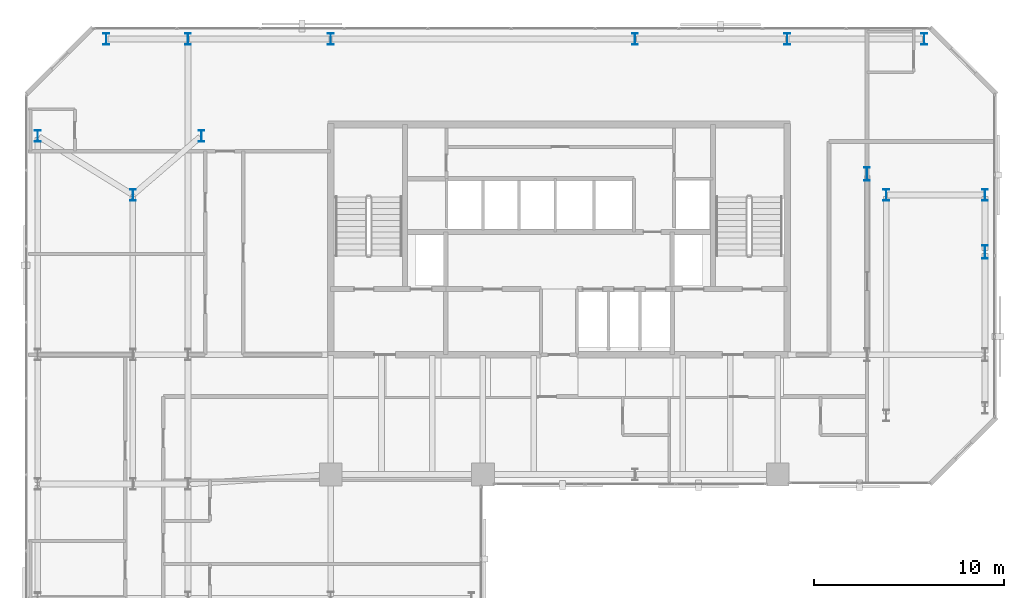
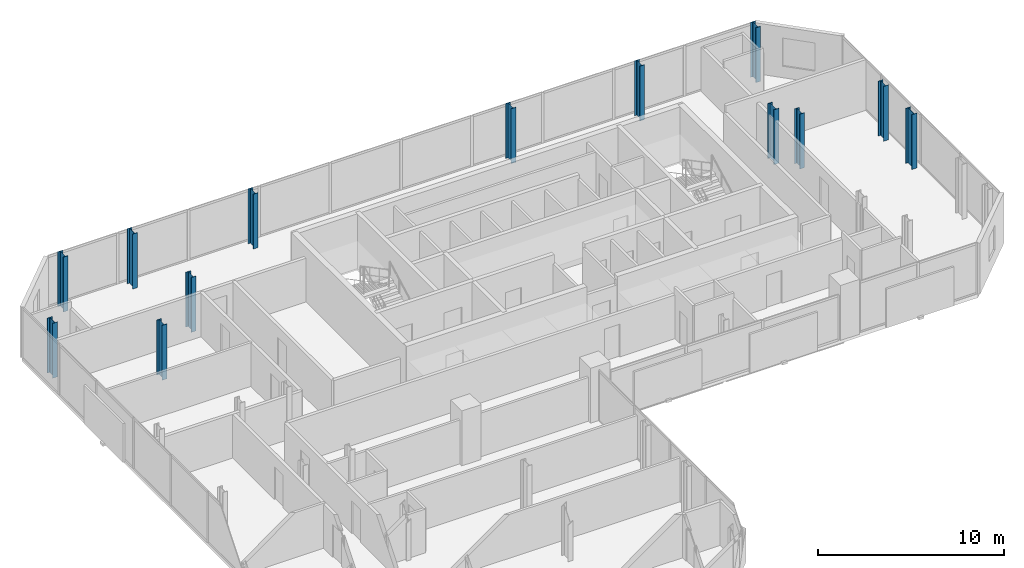
# One storey, part 2 of 32: 13 columns.
"""IFC4 building model written with IfcOpenShell, lengths in metres."""

import ifcopenshell
import ifcopenshell.guid

model = None  # the IFC model being written
_history = None  # IfcOwnerHistory: only IFC2X3 demands one
_inside = {}  # id of a spatial element -> (the spatial element, [elements in it])
_under = {}  # id of a project, library or spatial element -> (it, [spatial elements below it])
_declared = {}  # id of a project -> (the project, [libraries it declares])
_typed = {}  # id of a type object -> (the type object, [elements of that type])
_made_of = {}  # id of a material, layer set ... -> (it, [elements and type objects made of it])


def new_model(schema):
    """Start an empty IFC model of exactly this schema.

    Asked for "IFC4X3", IfcOpenShell would pick the latest addendum, in which some entities
    have other attributes; the version numbers below select the first issue.
    IFC2X3 requires an IfcOwnerHistory on every rooted entity: one is made here for all.
    """
    global model, _history
    if schema == "IFC4X3":
        model = ifcopenshell.file(schema_version=(4, 3, 0, 0))
    else:
        model = ifcopenshell.file(schema=schema)
    _inside.clear()
    _under.clear()
    _declared.clear()
    _typed.clear()
    _made_of.clear()
    _history = None
    if model.schema == "IFC2X3":
        org = make("IfcOrganization", Name="unknown")
        user = make(
            "IfcPersonAndOrganization",
            ThePerson=make("IfcPerson", FamilyName="unknown"),
            TheOrganization=org,
        )
        app = make(
            "IfcApplication",
            ApplicationDeveloper=org,
            Version="unknown",
            ApplicationFullName="unknown",
            ApplicationIdentifier="unknown",
        )
        _history = make(
            "IfcOwnerHistory",
            OwningUser=user,
            OwningApplication=app,
            ChangeAction="ADDED",
            CreationDate=0,
        )
    return model


def make(cls, **values):
    """One entity of the class cls with the attributes given. An attribute that is None is left unset."""
    return model.create_entity(
        cls, **{name: value for name, value in values.items() if value is not None}
    )


def rooted(cls, **values):
    """An entity with a GlobalId (a new one), such as an element, a storey or a relation."""
    return make(cls, GlobalId=ifcopenshell.guid.new(), OwnerHistory=_history, **values)


def si_unit(unit_type, name, prefix=None):
    """IfcSIUnit, for example si_unit("LENGTHUNIT", "METRE", prefix="MILLI")."""
    return make("IfcSIUnit", UnitType=unit_type, Prefix=prefix, Name=name)


def assignment(units):
    """IfcUnitAssignment: the units of a project."""
    return None if units is None else make("IfcUnitAssignment", Units=units)


def point(xyz):
    """IfcCartesianPoint."""
    return None if xyz is None else make("IfcCartesianPoint", Coordinates=xyz)


def direction(xyz):
    """IfcDirection."""
    return None if xyz is None else make("IfcDirection", DirectionRatios=xyz)


def frame(location, z_axis=None, x_axis=None):
    """IfcAxis2Placement3D, a coordinate frame: its origin and axes. An axis left out is left unset."""
    return make(
        "IfcAxis2Placement3D",
        Location=point(location),
        Axis=direction(z_axis),
        RefDirection=direction(x_axis),
    )


def frame_2d(location, x_axis=None):
    """IfcAxis2Placement2D, a coordinate frame in the plane: its origin and x axis."""
    return make(
        "IfcAxis2Placement2D", Location=point(location), RefDirection=direction(x_axis)
    )


def origin():
    """The frame at (0, 0, 0) with its axes left unset."""
    return frame((0.0, 0.0, 0.0))


def origin_2d():
    """The frame at (0, 0) in the plane with its x axis left unset."""
    return frame_2d((0.0, 0.0))


def place(relative_to, where):
    """IfcLocalPlacement: puts the frame where relative to a parent placement (None: the world)."""
    return make(
        "IfcLocalPlacement", PlacementRelTo=relative_to, RelativePlacement=where
    )


def context(
    kind, dimensions, precision=None, world=None, true_north=None, identifier=None
):
    """IfcGeometricRepresentationContext, for example the 3D "Model" context."""
    return make(
        "IfcGeometricRepresentationContext",
        ContextIdentifier=identifier,
        ContextType=kind,
        CoordinateSpaceDimension=dimensions,
        Precision=precision,
        WorldCoordinateSystem=world,
        TrueNorth=true_north,
    )


def subcontext(parent, identifier, kind, view, scale=None):
    """IfcGeometricRepresentationSubContext, for example "Body" below "Model"."""
    return make(
        "IfcGeometricRepresentationSubContext",
        ContextIdentifier=identifier,
        ContextType=kind,
        ParentContext=parent,
        TargetScale=scale,
        TargetView=view,
    )


def project(units=None, contexts=None):
    """IfcProject with its units and contexts."""
    return rooted(
        "IfcProject",
        Name="project",
        RepresentationContexts=contexts,
        UnitsInContext=assignment(units),
    )


def spatial(cls, under=None, at=None, **own):
    """A site, building, storey or space (cls), placed at a placement, below another one or the project."""
    s = rooted(cls, ObjectPlacement=at, **own)
    if under is not None:
        _under.setdefault(under.id(), (under, []))[1].append(s)
    return s


def profile(cls, at=None, kind="AREA", **sizes):
    """A parametric profile (cls). Its sizes go by their IFC names, for example OverallWidth=200.0."""
    return make(cls, ProfileType=kind, Position=at, **sizes)


def i_section(**sizes):
    """IfcIShapeProfileDef."""
    return profile("IfcIShapeProfileDef", **sizes)


def extrude(swept, where, along, depth):
    """IfcExtrudedAreaSolid: the profile swept, set in the frame where, extruded along a direction by depth."""
    return make(
        "IfcExtrudedAreaSolid",
        SweptArea=swept,
        Position=where,
        ExtrudedDirection=direction(along),
        Depth=depth,
    )


def shape(context_of_items, identifier, shape_type, items):
    """IfcShapeRepresentation: the items that make up one representation, for example the "Body"."""
    return make(
        "IfcShapeRepresentation",
        ContextOfItems=context_of_items,
        RepresentationIdentifier=identifier,
        RepresentationType=shape_type,
        Items=items,
    )


def material(Name=None, Category=None):
    """IfcMaterial."""
    return make("IfcMaterial", Name=Name, Category=Category)


def material_profile(
    of_material, cross_section, Name=None, Category=None, Priority=None
):
    """IfcMaterialProfile: a cross section and its material."""
    return make(
        "IfcMaterialProfile",
        Name=Name,
        Material=of_material,
        Profile=cross_section,
        Priority=Priority,
        Category=Category,
    )


def profile_set(profiles, Name=None, composite=None):
    """IfcMaterialProfileSet."""
    return make(
        "IfcMaterialProfileSet",
        Name=Name,
        MaterialProfiles=profiles,
        CompositeProfile=composite,
    )


def made_of(thing, what):
    """Note that an element or type object is made of a material, layer set ...; save() writes the relation."""
    if what is not None:
        _made_of.setdefault(what.id(), (what, []))[1].append(thing)
    return thing


def type_object(cls, material=None, **own):
    """A type object (cls), such as IfcWallType, which elements share."""
    return made_of(rooted(cls, **own), material)


def element(
    cls,
    number,
    at=None,
    inside=None,
    cuts=None,
    type_object=None,
    material=None,
    context=None,
    identifier="Body",
    shape_type=None,
    held_by="IfcProductDefinitionShape",
    body=None,
    shapes=None,
    **own,
):
    """One element of the class cls, such as IfcWall. Its Tag is "e" and its number.

    at: its placement. inside: the storey or other place that contains it. cuts: it is an
    opening in that element (IfcRelVoidsElement). A single representation is given by context,
    identifier, shape_type and body (its items); several are given by shapes. held_by: the class
    of the entity that holds the representations. save() writes the other relations.
    """
    e = rooted(cls, Tag="e%d" % number, ObjectPlacement=at, **own)
    if body is not None:
        shapes = [shape(context, identifier, shape_type, body)]
    if shapes is not None:
        e.Representation = make(held_by, Representations=shapes)
    if inside is not None:
        _inside.setdefault(inside.id(), (inside, []))[1].append(e)
    if cuts is not None:
        rooted(
            "IfcRelVoidsElement", RelatingBuildingElement=cuts, RelatedOpeningElement=e
        )
    if type_object is not None:
        _typed.setdefault(type_object.id(), (type_object, []))[1].append(e)
    return made_of(e, material)


def aggregate(whole, parts):
    """IfcRelAggregates: a whole, such as a stair, and the parts it consists of."""
    return rooted("IfcRelAggregates", RelatingObject=whole, RelatedObjects=parts)


def save(model, path):
    """Write the relations noted so far, then the file.

    IfcRelAggregates (storeys below a building ...), IfcRelContainedInSpatialStructure (elements
    in a storey), IfcRelDefinesByType, IfcRelAssociatesMaterial and IfcRelDeclares: one each for
    every whole, place, type object, material and project.
    """
    for whole, parts in _under.values():
        aggregate(whole, parts)
    for where, things in _inside.values():
        rooted(
            "IfcRelContainedInSpatialStructure",
            RelatedElements=things,
            RelatingStructure=where,
        )
    for kind, things in _typed.values():
        rooted("IfcRelDefinesByType", RelatedObjects=things, RelatingType=kind)
    for what, things in _made_of.values():
        rooted("IfcRelAssociatesMaterial", RelatedObjects=things, RelatingMaterial=what)
    for by, libraries in _declared.values():
        rooted("IfcRelDeclares", RelatingContext=by, RelatedDefinitions=libraries)
    model.write(path)


model = new_model("IFC4")

# Units and contexts
model_context = context("Model", 3, precision=1e-05, world=origin(), true_north=direction((0.0, 1.0)))
body_context = subcontext(model_context, "Body", "Model", "MODEL_VIEW")
ifc_project = project(units=[si_unit("LENGTHUNIT", "METRE"), si_unit("AREAUNIT", "SQUARE_METRE"), si_unit("VOLUMEUNIT", "CUBIC_METRE"), si_unit("PLANEANGLEUNIT", "RADIAN"), si_unit("MASSUNIT", "GRAM", prefix="KILO")], contexts=[model_context])

# Site, building, storey
site_placement = place(None, origin())
site = spatial("IfcSite", under=ifc_project, at=site_placement, CompositionType="ELEMENT")
building_placement = place(site_placement, origin())
building = spatial("IfcBuilding", under=site, at=building_placement, Name="Catumbela Crestline Tower", CompositionType="ELEMENT")
storey_placement = place(building_placement, frame((0.0, 0.0, 122.4)))
storey = spatial("IfcBuildingStorey", under=building, at=storey_placement, Name="L31", CompositionType="ELEMENT", Elevation=122.4)

# Columns
ifc_material = material(Name="Structural steel S460M", Category="steel")
ifc_material_profile_1 = material_profile(ifc_material, i_section(OverallWidth=0.3, OverallDepth=0.6, WebThickness=0.0155, FlangeThickness=0.03, FilletRadius=0.027, at=origin_2d()), Name="HEB 600")
ifc_profile_set_1 = profile_set([ifc_material_profile_1], Name="Structural steel S460M")
column_type_1 = type_object("IfcColumnType", Name="C-ST-HEB600", PredefinedType="COLUMN", material=ifc_profile_set_1)
for number, where, z_axis, x_axis, name in (
    (1, (5.6, 39.2, 0.0), (0.0, 0.0, 1.0), (1.0, 0.0, 0.0), "L31 Column C-05-43 (HEB 600)"),
    (2, (9.2, 42.3, 0.0), (0.0, 0.0, 1.0), (1.0, 0.0, 0.0), "L31 Column C-08-43 (HEB 600)"),
    (3, (45.2, 39.2, 0.0), (0.0, 0.0, 1.0), (1.0, 0.0, 0.0), "L31 Column C-46-43 (HEB 600)"),
    (4, (0.6, 42.3, 0.0), (0.0, 0.0, 1.0), (1.0, 0.0, 0.0), "L31 Column C-00-43 (HEB 600)"),
    (5, (4.2, 47.4, 0.0), (0.0, 0.0, 1.0), (1.0, 0.0, 0.0), "L31 Column C-00-48 (HEB 600)"),
    (6, (8.5, 47.4, 0.0), (0.0, 0.0, 1.0), (1.0, 0.0, 0.0), "L31 Column C-08-48 (HEB 600)"),
    (7, (16.0, 47.4, 0.0), (0.0, 0.0, 1.0), (1.0, 0.0, 0.0), "L31 Column C-16-48 (HEB 600)"),
    (8, (32.0, 47.4, 0.0), (0.0, 0.0, 1.0), (1.0, 0.0, 0.0), "L31 Column C-32-48 (HEB 600)"),
    (9, (40.0, 47.4, 0.0), (0.0, 0.0, 1.0), (1.0, 0.0, 0.0), "L31 Column C-40-48 (HEB 600)"),
    (10, (47.2, 47.4, 0.0), (0.0, 0.0, 1.0), (1.0, 0.0, 0.0), "L31 Column C-48-48 (HEB 600)"),
    (11, (50.4, 39.2, 0.0), (0.0, 0.0, 1.0), (1.0, 0.0, 0.0), "L31 Column C-51-43 (HEB 600)"),
):
    element("IfcColumn", number, at=place(storey_placement, frame(where, z_axis=z_axis, x_axis=x_axis)), inside=storey, type_object=column_type_1, Name=name, PredefinedType="COLUMN", context=body_context, shape_type="SweptSolid", body=[
        extrude(i_section(OverallWidth=0.3, OverallDepth=0.6, WebThickness=0.0155, FlangeThickness=0.03, FilletRadius=0.027, at=origin_2d()), origin(), (0.0, 0.0, 1.0), 3.6),
    ])
ifc_material_profile_2 = material_profile(ifc_material, i_section(OverallWidth=0.3, OverallDepth=0.7, WebThickness=0.017, FlangeThickness=0.032, FilletRadius=0.027, at=origin_2d()), Name="HEB 700")
ifc_profile_set_2 = profile_set([ifc_material_profile_2], Name="Structural steel S460M")
column_type_2 = type_object("IfcColumnType", Name="C-ST-HEB700", PredefinedType="COLUMN", material=ifc_profile_set_2)
for number, where, z_axis, x_axis, name in (
    (12, (44.2, 40.3, 0.0), (0.0, 0.0, 1.0), (1.0, 0.0, 0.0), "L31 Column CT-46-37 (HEB 700)"),
    (13, (50.4, 36.2, 0.0), (0.0, 0.0, 1.0), (1.0, 0.0, 0.0), "L31 Column CT-51-37 (HEB 700)"),
):
    element("IfcColumn", number, at=place(storey_placement, frame(where, z_axis=z_axis, x_axis=x_axis)), inside=storey, type_object=column_type_2, Name=name, PredefinedType="COLUMN", context=body_context, shape_type="SweptSolid", body=[
        extrude(i_section(OverallWidth=0.3, OverallDepth=0.7, WebThickness=0.017, FlangeThickness=0.032, FilletRadius=0.027, at=origin_2d()), origin(), (0.0, 0.0, 1.0), 3.6),
    ])

save(model, "model.ifc")
